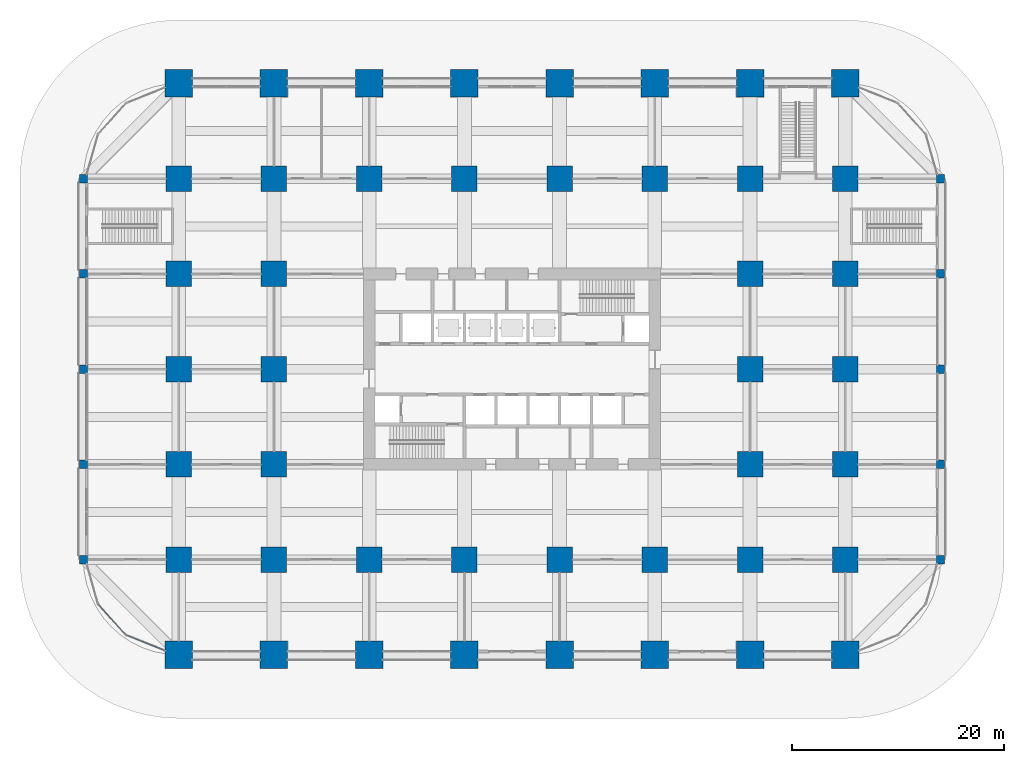
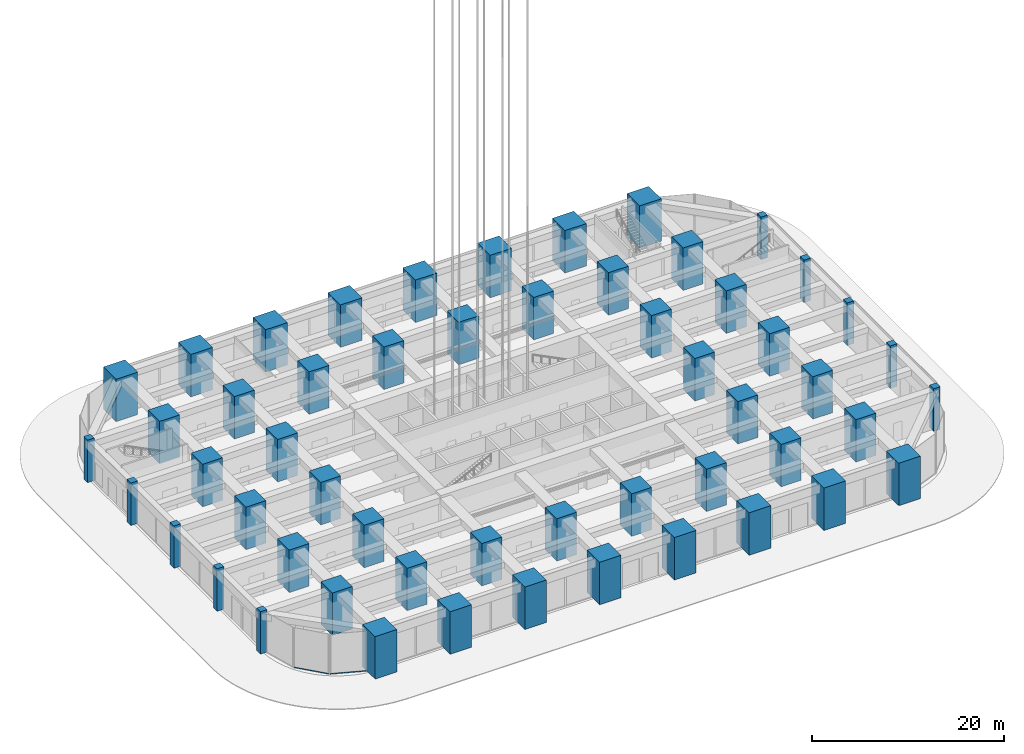
# One storey, part 1 of 56: 54 columns, 2 members, 2 elements without a shape of their own.
"""IFC4 building model written with IfcOpenShell, lengths in metres."""

from ifc_helpers import new_model, si_unit, direction, frame, origin, origin_2d, place, context, subcontext, project, spatial, rectangle, hollow_rectangle, extrude, material, material_profile, profile_set, type_object, element, aggregate, save


model = new_model("IFC4")

# Units and contexts
model_context = context("Model", 3, precision=1e-05, world=origin(), true_north=direction((0.0, 1.0)))
body_context = subcontext(model_context, "Body", "Model", "MODEL_VIEW")
ifc_project = project(units=[si_unit("LENGTHUNIT", "METRE"), si_unit("AREAUNIT", "SQUARE_METRE"), si_unit("VOLUMEUNIT", "CUBIC_METRE"), si_unit("PLANEANGLEUNIT", "RADIAN"), si_unit("MASSUNIT", "GRAM", prefix="KILO")], contexts=[model_context])

# Site, building, storey
site_placement = place(None, origin())
site = spatial("IfcSite", under=ifc_project, at=site_placement, CompositionType="ELEMENT")
building_placement = place(site_placement, origin())
building = spatial("IfcBuilding", under=site, at=building_placement, Name="Zorevar Civic Tower", CompositionType="ELEMENT")
storey_placement = place(building_placement, origin())
storey = spatial("IfcBuildingStorey", under=building, at=storey_placement, Name="L00", CompositionType="ELEMENT", Elevation=0.0)

# Columns
ifc_material_1 = material(Name="Concrete C50/60", Category="concrete")
ifc_material_profile_1 = material_profile(ifc_material_1, rectangle(XDim=2.39990234375, YDim=2.39990234375, at=origin_2d()), Name="RC 2400x2400")
ifc_profile_set_1 = profile_set([ifc_material_profile_1], Name="Concrete C50/60")
column_type_1 = type_object("IfcColumnType", Name="Column RC 2400x2400", PredefinedType="COLUMN", material=ifc_profile_set_1)
for number, where, z_axis, x_axis, name in (
    (1, (0.0, 9.0, 0.0), (0.0, 0.0, 1.0), (1.0, 0.0, 0.0), "Column 2B L00"),
    (2, (0.0, 18.0, 0.0), (0.0, 0.0, 1.0), (1.0, 0.0, 0.0), "Column 2C L00"),
    (3, (0.0, 27.0, 0.0), (0.0, 0.0, 1.0), (1.0, 0.0, 0.0), "Column 2D L00"),
    (4, (0.0, 36.0, 0.0), (0.0, 0.0, 1.0), (1.0, 0.0, 0.0), "Column 2E L00"),
    (5, (0.0, 45.0, 0.0), (0.0, 0.0, 1.0), (1.0, 0.0, 0.0), "Column 2F L00"),
    (6, (9.0, 9.0, 0.0), (0.0, 0.0, 1.0), (1.0, 0.0, 0.0), "Column 3B L00"),
    (7, (9.0, 18.0, 0.0), (0.0, 0.0, 1.0), (1.0, 0.0, 0.0), "Column 3C L00"),
    (8, (9.0, 27.0, 0.0), (0.0, 0.0, 1.0), (1.0, 0.0, 0.0), "Column 3D L00"),
    (9, (9.0, 36.0, 0.0), (0.0, 0.0, 1.0), (1.0, 0.0, 0.0), "Column 3E L00"),
    (10, (9.0, 45.0, 0.0), (0.0, 0.0, 1.0), (1.0, 0.0, 0.0), "Column 3F L00"),
    (11, (18.0, 9.0, 0.0), (0.0, 0.0, 1.0), (1.0, 0.0, 0.0), "Column 4B L00"),
    (12, (18.0, 45.0, 0.0), (0.0, 0.0, 1.0), (1.0, 0.0, 0.0), "Column 4F L00"),
    (13, (27.0, 9.0, 0.0), (0.0, 0.0, 1.0), (1.0, 0.0, 0.0), "Column 5B L00"),
    (14, (27.0, 45.0, 0.0), (0.0, 0.0, 1.0), (1.0, 0.0, 0.0), "Column 5F L00"),
    (15, (36.0, 9.0, 0.0), (0.0, 0.0, 1.0), (1.0, 0.0, 0.0), "Column 6B L00"),
    (16, (36.0, 45.0, 0.0), (0.0, 0.0, 1.0), (1.0, 0.0, 0.0), "Column 6F L00"),
    (17, (45.0, 9.0, 0.0), (0.0, 0.0, 1.0), (1.0, 0.0, 0.0), "Column 7B L00"),
    (18, (45.0, 45.0, 0.0), (0.0, 0.0, 1.0), (1.0, 0.0, 0.0), "Column 7F L00"),
    (19, (54.0, 9.0, 0.0), (0.0, 0.0, 1.0), (1.0, 0.0, 0.0), "Column 8B L00"),
    (20, (54.0, 18.0, 0.0), (0.0, 0.0, 1.0), (1.0, 0.0, 0.0), "Column 8C L00"),
    (21, (54.0, 27.0, 0.0), (0.0, 0.0, 1.0), (1.0, 0.0, 0.0), "Column 8D L00"),
    (22, (54.0, 36.0, 0.0), (0.0, 0.0, 1.0), (1.0, 0.0, 0.0), "Column 8E L00"),
    (23, (54.0, 45.0, 0.0), (0.0, 0.0, 1.0), (1.0, 0.0, 0.0), "Column 8F L00"),
    (24, (63.0, 9.0, 0.0), (0.0, 0.0, 1.0), (1.0, 0.0, 0.0), "Column 9B L00"),
    (25, (63.0, 18.0, 0.0), (0.0, 0.0, 1.0), (1.0, 0.0, 0.0), "Column 9C L00"),
    (26, (63.0, 27.0, 0.0), (0.0, 0.0, 1.0), (1.0, 0.0, 0.0), "Column 9D L00"),
    (27, (63.0, 36.0, 0.0), (0.0, 0.0, 1.0), (1.0, 0.0, 0.0), "Column 9E L00"),
    (28, (63.0, 45.0, 0.0), (0.0, 0.0, 1.0), (1.0, 0.0, 0.0), "Column 9F L00"),
):
    element("IfcColumn", number, at=place(storey_placement, frame(where, z_axis=z_axis, x_axis=x_axis)), inside=storey, type_object=column_type_1, Name=name, PredefinedType="COLUMN", context=body_context, shape_type="SweptSolid", body=[
        extrude(rectangle(XDim=2.39990234375, YDim=2.39990234375, at=origin_2d()), origin(), (0.0, 0.0, 1.0), 5.39990234375),
    ])
ifc_material_2 = material(Name="Concrete C50/60", Category="concrete")
ifc_material_profile_2 = material_profile(ifc_material_2, rectangle(XDim=2.60009765625, YDim=2.60009765625, at=origin_2d()), Name="RC 2600x2600")
ifc_profile_set_2 = profile_set([ifc_material_profile_2], Name="Concrete C50/60")
column_type_2 = type_object("IfcColumnType", Name="Column RC 2600x2600", PredefinedType="COLUMN", material=ifc_profile_set_2)
for number, where, z_axis, x_axis, name in (
    (29, (0.0, 0.0, 0.0), (0.0, 0.0, 1.0), (1.0, 0.0, 0.0), "Column 2A L00"),
    (30, (0.0, 54.0, 0.0), (0.0, 0.0, 1.0), (1.0, 0.0, 0.0), "Column 2G L00"),
    (31, (9.0, 0.0, 0.0), (0.0, 0.0, 1.0), (1.0, 0.0, 0.0), "Column 3A L00"),
    (32, (9.0, 54.0, 0.0), (0.0, 0.0, 1.0), (1.0, 0.0, 0.0), "Column 3G L00"),
    (33, (18.0, 0.0, 0.0), (0.0, 0.0, 1.0), (1.0, 0.0, 0.0), "Column 4A L00"),
    (34, (18.0, 54.0, 0.0), (0.0, 0.0, 1.0), (1.0, 0.0, 0.0), "Column 4G L00"),
    (35, (27.0, 0.0, 0.0), (0.0, 0.0, 1.0), (1.0, 0.0, 0.0), "Column 5A L00"),
    (36, (27.0, 54.0, 0.0), (0.0, 0.0, 1.0), (1.0, 0.0, 0.0), "Column 5G L00"),
    (37, (36.0, 0.0, 0.0), (0.0, 0.0, 1.0), (1.0, 0.0, 0.0), "Column 6A L00"),
    (38, (36.0, 54.0, 0.0), (0.0, 0.0, 1.0), (1.0, 0.0, 0.0), "Column 6G L00"),
    (39, (45.0, 0.0, 0.0), (0.0, 0.0, 1.0), (1.0, 0.0, 0.0), "Column 7A L00"),
    (40, (45.0, 54.0, 0.0), (0.0, 0.0, 1.0), (1.0, 0.0, 0.0), "Column 7G L00"),
    (41, (54.0, 0.0, 0.0), (0.0, 0.0, 1.0), (1.0, 0.0, 0.0), "Column 8A L00"),
    (42, (54.0, 54.0, 0.0), (0.0, 0.0, 1.0), (1.0, 0.0, 0.0), "Column 8G L00"),
    (43, (63.0, 0.0, 0.0), (0.0, 0.0, 1.0), (1.0, 0.0, 0.0), "Column 9A L00"),
    (44, (63.0, 54.0, 0.0), (0.0, 0.0, 1.0), (1.0, 0.0, 0.0), "Column 9G L00"),
):
    element("IfcColumn", number, at=place(storey_placement, frame(where, z_axis=z_axis, x_axis=x_axis)), inside=storey, type_object=column_type_2, Name=name, PredefinedType="COLUMN", context=body_context, shape_type="SweptSolid", body=[
        extrude(rectangle(XDim=2.60009765625, YDim=2.60009765625, at=origin_2d()), origin(), (0.0, 0.0, 1.0), 5.39990234375),
    ])
ifc_material_3 = material(Name="Concrete C50/60", Category="concrete")
ifc_material_profile_3 = material_profile(ifc_material_3, rectangle(XDim=0.800048828125, YDim=0.800048828125, at=origin_2d()), Name="RC 800x800")
ifc_profile_set_3 = profile_set([ifc_material_profile_3], Name="Concrete C50/60")
column_type_3 = type_object("IfcColumnType", Name="Column RC 800x800", PredefinedType="COLUMN", material=ifc_profile_set_3)
for number, where, z_axis, x_axis, name in (
    (45, (-9.0, 9.0, 0.0), (0.0, 0.0, 1.0), (1.0, 0.0, 0.0), "Column 1B L00"),
    (46, (-9.0, 18.0, 0.0), (0.0, 0.0, 1.0), (1.0, 0.0, 0.0), "Column 1C L00"),
    (47, (-9.0, 27.0, 0.0), (0.0, 0.0, 1.0), (1.0, 0.0, 0.0), "Column 1D L00"),
    (48, (-9.0, 36.0, 0.0), (0.0, 0.0, 1.0), (1.0, 0.0, 0.0), "Column 1E L00"),
    (49, (-9.0, 45.0, 0.0), (0.0, 0.0, 1.0), (1.0, 0.0, 0.0), "Column 1F L00"),
    (50, (72.0, 9.0, 0.0), (0.0, 0.0, 1.0), (1.0, 0.0, 0.0), "Column 10B L00"),
    (51, (72.0, 18.0, 0.0), (0.0, 0.0, 1.0), (1.0, 0.0, 0.0), "Column 10C L00"),
    (52, (72.0, 27.0, 0.0), (0.0, 0.0, 1.0), (1.0, 0.0, 0.0), "Column 10D L00"),
    (53, (72.0, 36.0, 0.0), (0.0, 0.0, 1.0), (1.0, 0.0, 0.0), "Column 10E L00"),
    (54, (72.0, 45.0, 0.0), (0.0, 0.0, 1.0), (1.0, 0.0, 0.0), "Column 10F L00"),
):
    element("IfcColumn", number, at=place(storey_placement, frame(where, z_axis=z_axis, x_axis=x_axis)), inside=storey, type_object=column_type_3, Name=name, PredefinedType="COLUMN", context=body_context, shape_type="SweptSolid", body=[
        extrude(rectangle(XDim=0.800048828125, YDim=0.800048828125, at=origin_2d()), origin(), (0.0, 0.0, 1.0), 5.39990234375),
    ])

# Curtain wall, member
ifc_material_4 = material(Name="Dark grey solar-control glass in black aluminium frame", Category="aluminium")
curtain_wall_type = type_object("IfcCurtainWallType", Name="Curtain wall CW1 podium", PredefinedType="NOTDEFINED", material=ifc_material_4)
curtain_wall_1_placement = place(storey_placement, origin())
curtain_wall_1 = element("IfcCurtainWall", 55, at=curtain_wall_1_placement, inside=storey, type_object=curtain_wall_type, Name="CW1 L00", PredefinedType="NOTDEFINED")
ifc_material_5 = material(Name="Aluminium, black anodised", Category="aluminium")
ifc_material_profile_4 = material_profile(ifc_material_5, hollow_rectangle(XDim=0.06005859375, YDim=0.14990234375, WallThickness=0.00390625, at=origin_2d()), Name="AL 150x60x4")
ifc_profile_set_4 = profile_set([ifc_material_profile_4], Name="Aluminium, black anodised")
member_type = type_object("IfcMemberType", Name="CW1 transom AL 150x60x4", PredefinedType="USERDEFINED", material=ifc_profile_set_4)
member_1_placement = place(storey_placement, frame((-7.576904296875, 4.751953125, 0.030029296875), z_axis=(0.669390521788, -0.742910714245, 0.0), x_axis=(0.742910714245, 0.669390521788, 0.0)))
member_1 = element("IfcMember", 56, at=member_1_placement, type_object=member_type, Name="CW1 sill transom", ObjectType="TRANSOM", PredefinedType="USERDEFINED", context=body_context, shape_type="SweptSolid", body=[
    extrude(hollow_rectangle(XDim=0.06005859375, YDim=0.14990234375, WallThickness=0.00390625, at=origin_2d()), origin(), (0.0, 0.0, 1.0), 3.83203125),
])
aggregate(curtain_wall_1, [member_1])

curtain_wall_2_placement = place(storey_placement, origin())
curtain_wall_2 = element("IfcCurtainWall", 57, at=curtain_wall_2_placement, inside=storey, type_object=curtain_wall_type, Name="CW1 L00", PredefinedType="NOTDEFINED")
member_2_placement = place(storey_placement, frame((-4.915771484375, 1.838134765625, 0.030029296875), z_axis=(0.928998620575, -0.370083183851, 0.0), x_axis=(0.370083183851, 0.928998620575, 0.0)))
member_2 = element("IfcMember", 58, at=member_2_placement, type_object=member_type, Name="CW1 sill transom", ObjectType="TRANSOM", PredefinedType="USERDEFINED", context=body_context, shape_type="SweptSolid", body=[
    extrude(hollow_rectangle(XDim=0.06005859375, YDim=0.14990234375, WallThickness=0.00390625, at=origin_2d()), origin(), (0.0, 0.0, 1.0), 3.83203125),
])
aggregate(curtain_wall_2, [member_2])

save(model, "model.ifc")
